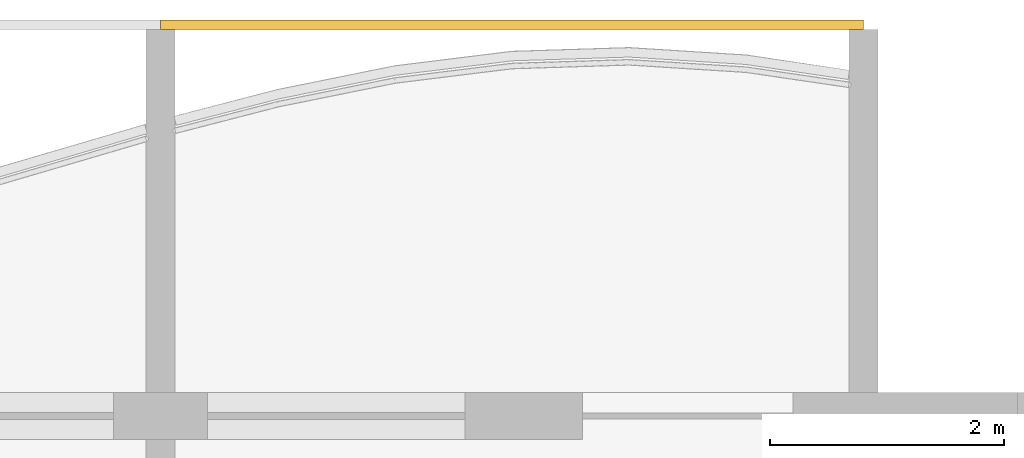
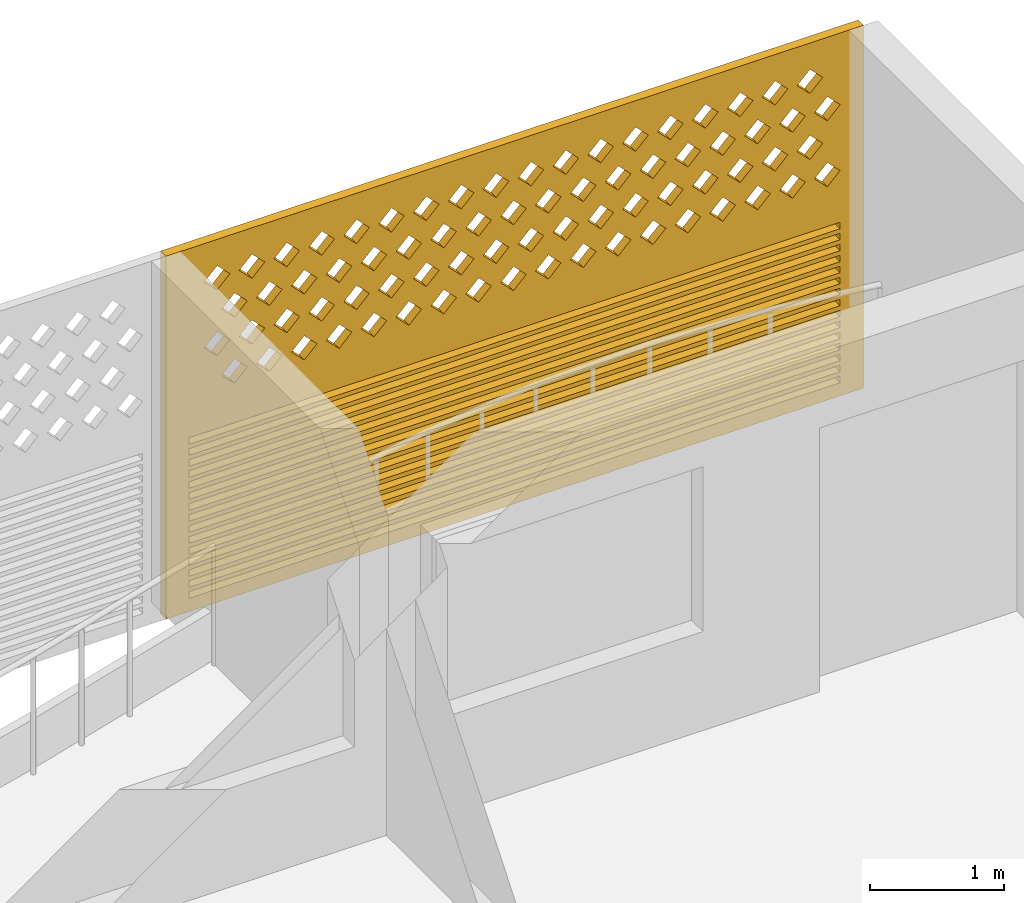
# One storey, part 28 of 28: 1 covering.
"""IFC4 building model written with IfcOpenShell, lengths in metres."""

from ifc_helpers import new_model, si_unit, direction, frame, origin, place, context, subcontext, project, spatial, polyline, outline, extrude, source, transform, mapped, material, material_profile, profile_set, type_object, element, save


model = new_model("IFC4")

# Units and contexts
model_context = context("Model", 3, precision=1e-05, world=origin(), true_north=direction((0.0, 1.0)))
body_context = subcontext(model_context, "Body", "Model", "MODEL_VIEW")
ifc_project = project(units=[si_unit("LENGTHUNIT", "METRE"), si_unit("AREAUNIT", "SQUARE_METRE"), si_unit("VOLUMEUNIT", "CUBIC_METRE"), si_unit("PLANEANGLEUNIT", "RADIAN"), si_unit("MASSUNIT", "GRAM", prefix="KILO")], contexts=[model_context])

# Site, building, storey
site_placement = place(None, origin())
site = spatial("IfcSite", under=ifc_project, at=site_placement, CompositionType="ELEMENT")
building_placement = place(site_placement, origin())
building = spatial("IfcBuilding", under=site, at=building_placement, Name="Poui Terraces", CompositionType="ELEMENT")
storey_placement = place(building_placement, frame((0.0, 0.0, 188.39990234375)))
storey = spatial("IfcBuildingStorey", under=building, at=storey_placement, Name="L52", CompositionType="ELEMENT", Elevation=188.39990234375)

# Covering
ifc_material = material(Name="Terracotta screen", Category="masonry")
ifc_material_profile = material_profile(ifc_material, outline(polyline([(-3.0, -1.64990234375), (3.0, -1.64990234375), (3.0, 1.64990234375), (-3.0, 1.64990234375), (-3.0, -1.64990234375)]), holes=[polyline([(-2.800048828125, 0.39990234375), (-2.68994140625, 0.2900390625), (-2.580078125, 0.39990234375), (-2.68994140625, 0.510009765625), (-2.800048828125, 0.39990234375)]), polyline([(-2.5, 0.39990234375), (-2.389892578125, 0.2900390625), (-2.280029296875, 0.39990234375), (-2.389892578125, 0.510009765625), (-2.5, 0.39990234375)]), polyline([(-2.199951171875, 0.39990234375), (-2.090087890625, 0.2900390625), (-1.97998046875, 0.39990234375), (-2.090087890625, 0.510009765625), (-2.199951171875, 0.39990234375)]), polyline([(-1.89990234375, 0.39990234375), (-1.7900390625, 0.2900390625), (-1.679931640625, 0.39990234375), (-1.7900390625, 0.510009765625), (-1.89990234375, 0.39990234375)]), polyline([(-1.60009765625, 0.39990234375), (-1.489990234375, 0.2900390625), (-1.3798828125, 0.39990234375), (-1.489990234375, 0.510009765625), (-1.60009765625, 0.39990234375)]), polyline([(-1.300048828125, 0.39990234375), (-1.18994140625, 0.2900390625), (-1.080078125, 0.39990234375), (-1.18994140625, 0.510009765625), (-1.300048828125, 0.39990234375)]), polyline([(-1.0, 0.39990234375), (-0.889892578125, 0.2900390625), (-0.780029296875, 0.39990234375), (-0.889892578125, 0.510009765625), (-1.0, 0.39990234375)]), polyline([(-0.699951171875, 0.39990234375), (-0.590087890625, 0.2900390625), (-0.47998046875, 0.39990234375), (-0.590087890625, 0.510009765625), (-0.699951171875, 0.39990234375)]), polyline([(-0.39990234375, 0.39990234375), (-0.2900390625, 0.2900390625), (-0.179931640625, 0.39990234375), (-0.2900390625, 0.510009765625), (-0.39990234375, 0.39990234375)]), polyline([(-0.10009765625, 0.39990234375), (0.010009765625, 0.2900390625), (0.1201171875, 0.39990234375), (0.010009765625, 0.510009765625), (-0.10009765625, 0.39990234375)]), polyline([(0.199951171875, 0.39990234375), (0.31005859375, 0.2900390625), (0.419921875, 0.39990234375), (0.31005859375, 0.510009765625), (0.199951171875, 0.39990234375)]), polyline([(0.5, 0.39990234375), (0.610107421875, 0.2900390625), (0.719970703125, 0.39990234375), (0.610107421875, 0.510009765625), (0.5, 0.39990234375)]), polyline([(0.800048828125, 0.39990234375), (0.909912109375, 0.2900390625), (1.02001953125, 0.39990234375), (0.909912109375, 0.510009765625), (0.800048828125, 0.39990234375)]), polyline([(1.10009765625, 0.39990234375), (1.2099609375, 0.2900390625), (1.320068359375, 0.39990234375), (1.2099609375, 0.510009765625), (1.10009765625, 0.39990234375)]), polyline([(1.39990234375, 0.39990234375), (1.510009765625, 0.2900390625), (1.6201171875, 0.39990234375), (1.510009765625, 0.510009765625), (1.39990234375, 0.39990234375)]), polyline([(1.699951171875, 0.39990234375), (1.81005859375, 0.2900390625), (1.919921875, 0.39990234375), (1.81005859375, 0.510009765625), (1.699951171875, 0.39990234375)]), polyline([(2.0, 0.39990234375), (2.110107421875, 0.2900390625), (2.219970703125, 0.39990234375), (2.110107421875, 0.510009765625), (2.0, 0.39990234375)]), polyline([(2.300048828125, 0.39990234375), (2.409912109375, 0.2900390625), (2.52001953125, 0.39990234375), (2.409912109375, 0.510009765625), (2.300048828125, 0.39990234375)]), polyline([(-2.64990234375, 0.699951171875), (-2.5400390625, 0.590087890625), (-2.429931640625, 0.699951171875), (-2.5400390625, 0.81005859375), (-2.64990234375, 0.699951171875)]), polyline([(-2.35009765625, 0.699951171875), (-2.239990234375, 0.590087890625), (-2.1298828125, 0.699951171875), (-2.239990234375, 0.81005859375), (-2.35009765625, 0.699951171875)]), polyline([(-2.050048828125, 0.699951171875), (-1.93994140625, 0.590087890625), (-1.830078125, 0.699951171875), (-1.93994140625, 0.81005859375), (-2.050048828125, 0.699951171875)]), polyline([(-1.75, 0.699951171875), (-1.639892578125, 0.590087890625), (-1.530029296875, 0.699951171875), (-1.639892578125, 0.81005859375), (-1.75, 0.699951171875)]), polyline([(-1.449951171875, 0.699951171875), (-1.340087890625, 0.590087890625), (-1.22998046875, 0.699951171875), (-1.340087890625, 0.81005859375), (-1.449951171875, 0.699951171875)]), polyline([(-1.14990234375, 0.699951171875), (-1.0400390625, 0.590087890625), (-0.929931640625, 0.699951171875), (-1.0400390625, 0.81005859375), (-1.14990234375, 0.699951171875)]), polyline([(-0.85009765625, 0.699951171875), (-0.739990234375, 0.590087890625), (-0.6298828125, 0.699951171875), (-0.739990234375, 0.81005859375), (-0.85009765625, 0.699951171875)]), polyline([(-0.550048828125, 0.699951171875), (-0.43994140625, 0.590087890625), (-0.330078125, 0.699951171875), (-0.43994140625, 0.81005859375), (-0.550048828125, 0.699951171875)]), polyline([(-0.25, 0.699951171875), (-0.139892578125, 0.590087890625), (-0.030029296875, 0.699951171875), (-0.139892578125, 0.81005859375), (-0.25, 0.699951171875)]), polyline([(0.050048828125, 0.699951171875), (0.159912109375, 0.590087890625), (0.27001953125, 0.699951171875), (0.159912109375, 0.81005859375), (0.050048828125, 0.699951171875)]), polyline([(0.35009765625, 0.699951171875), (0.4599609375, 0.590087890625), (0.570068359375, 0.699951171875), (0.4599609375, 0.81005859375), (0.35009765625, 0.699951171875)]), polyline([(0.64990234375, 0.699951171875), (0.760009765625, 0.590087890625), (0.8701171875, 0.699951171875), (0.760009765625, 0.81005859375), (0.64990234375, 0.699951171875)]), polyline([(0.949951171875, 0.699951171875), (1.06005859375, 0.590087890625), (1.169921875, 0.699951171875), (1.06005859375, 0.81005859375), (0.949951171875, 0.699951171875)]), polyline([(1.25, 0.699951171875), (1.360107421875, 0.590087890625), (1.469970703125, 0.699951171875), (1.360107421875, 0.81005859375), (1.25, 0.699951171875)]), polyline([(1.550048828125, 0.699951171875), (1.659912109375, 0.590087890625), (1.77001953125, 0.699951171875), (1.659912109375, 0.81005859375), (1.550048828125, 0.699951171875)]), polyline([(1.85009765625, 0.699951171875), (1.9599609375, 0.590087890625), (2.070068359375, 0.699951171875), (1.9599609375, 0.81005859375), (1.85009765625, 0.699951171875)]), polyline([(2.14990234375, 0.699951171875), (2.260009765625, 0.590087890625), (2.3701171875, 0.699951171875), (2.260009765625, 0.81005859375), (2.14990234375, 0.699951171875)]), polyline([(2.449951171875, 0.699951171875), (2.56005859375, 0.590087890625), (2.669921875, 0.699951171875), (2.56005859375, 0.81005859375), (2.449951171875, 0.699951171875)]), polyline([(-2.800048828125, 1.0), (-2.68994140625, 0.889892578125), (-2.580078125, 1.0), (-2.68994140625, 1.110107421875), (-2.800048828125, 1.0)]), polyline([(-2.5, 1.0), (-2.389892578125, 0.889892578125), (-2.280029296875, 1.0), (-2.389892578125, 1.110107421875), (-2.5, 1.0)]), polyline([(-2.199951171875, 1.0), (-2.090087890625, 0.889892578125), (-1.97998046875, 1.0), (-2.090087890625, 1.110107421875), (-2.199951171875, 1.0)]), polyline([(-1.89990234375, 1.0), (-1.7900390625, 0.889892578125), (-1.679931640625, 1.0), (-1.7900390625, 1.110107421875), (-1.89990234375, 1.0)]), polyline([(-1.60009765625, 1.0), (-1.489990234375, 0.889892578125), (-1.3798828125, 1.0), (-1.489990234375, 1.110107421875), (-1.60009765625, 1.0)]), polyline([(-1.300048828125, 1.0), (-1.18994140625, 0.889892578125), (-1.080078125, 1.0), (-1.18994140625, 1.110107421875), (-1.300048828125, 1.0)]), polyline([(-1.0, 1.0), (-0.889892578125, 0.889892578125), (-0.780029296875, 1.0), (-0.889892578125, 1.110107421875), (-1.0, 1.0)]), polyline([(-0.699951171875, 1.0), (-0.590087890625, 0.889892578125), (-0.47998046875, 1.0), (-0.590087890625, 1.110107421875), (-0.699951171875, 1.0)]), polyline([(-0.39990234375, 1.0), (-0.2900390625, 0.889892578125), (-0.179931640625, 1.0), (-0.2900390625, 1.110107421875), (-0.39990234375, 1.0)]), polyline([(-0.10009765625, 1.0), (0.010009765625, 0.889892578125), (0.1201171875, 1.0), (0.010009765625, 1.110107421875), (-0.10009765625, 1.0)]), polyline([(0.199951171875, 1.0), (0.31005859375, 0.889892578125), (0.419921875, 1.0), (0.31005859375, 1.110107421875), (0.199951171875, 1.0)]), polyline([(0.5, 1.0), (0.610107421875, 0.889892578125), (0.719970703125, 1.0), (0.610107421875, 1.110107421875), (0.5, 1.0)]), polyline([(0.800048828125, 1.0), (0.909912109375, 0.889892578125), (1.02001953125, 1.0), (0.909912109375, 1.110107421875), (0.800048828125, 1.0)]), polyline([(1.10009765625, 1.0), (1.2099609375, 0.889892578125), (1.320068359375, 1.0), (1.2099609375, 1.110107421875), (1.10009765625, 1.0)]), polyline([(1.39990234375, 1.0), (1.510009765625, 0.889892578125), (1.6201171875, 1.0), (1.510009765625, 1.110107421875), (1.39990234375, 1.0)]), polyline([(1.699951171875, 1.0), (1.81005859375, 0.889892578125), (1.919921875, 1.0), (1.81005859375, 1.110107421875), (1.699951171875, 1.0)]), polyline([(2.0, 1.0), (2.110107421875, 0.889892578125), (2.219970703125, 1.0), (2.110107421875, 1.110107421875), (2.0, 1.0)]), polyline([(2.300048828125, 1.0), (2.409912109375, 0.889892578125), (2.52001953125, 1.0), (2.409912109375, 1.110107421875), (2.300048828125, 1.0)]), polyline([(-2.64990234375, 1.300048828125), (-2.5400390625, 1.18994140625), (-2.429931640625, 1.300048828125), (-2.5400390625, 1.409912109375), (-2.64990234375, 1.300048828125)]), polyline([(-2.35009765625, 1.300048828125), (-2.239990234375, 1.18994140625), (-2.1298828125, 1.300048828125), (-2.239990234375, 1.409912109375), (-2.35009765625, 1.300048828125)]), polyline([(-2.050048828125, 1.300048828125), (-1.93994140625, 1.18994140625), (-1.830078125, 1.300048828125), (-1.93994140625, 1.409912109375), (-2.050048828125, 1.300048828125)]), polyline([(-1.75, 1.300048828125), (-1.639892578125, 1.18994140625), (-1.530029296875, 1.300048828125), (-1.639892578125, 1.409912109375), (-1.75, 1.300048828125)]), polyline([(-1.449951171875, 1.300048828125), (-1.340087890625, 1.18994140625), (-1.22998046875, 1.300048828125), (-1.340087890625, 1.409912109375), (-1.449951171875, 1.300048828125)]), polyline([(-1.14990234375, 1.300048828125), (-1.0400390625, 1.18994140625), (-0.929931640625, 1.300048828125), (-1.0400390625, 1.409912109375), (-1.14990234375, 1.300048828125)]), polyline([(-0.85009765625, 1.300048828125), (-0.739990234375, 1.18994140625), (-0.6298828125, 1.300048828125), (-0.739990234375, 1.409912109375), (-0.85009765625, 1.300048828125)]), polyline([(-0.550048828125, 1.300048828125), (-0.43994140625, 1.18994140625), (-0.330078125, 1.300048828125), (-0.43994140625, 1.409912109375), (-0.550048828125, 1.300048828125)]), polyline([(-0.25, 1.300048828125), (-0.139892578125, 1.18994140625), (-0.030029296875, 1.300048828125), (-0.139892578125, 1.409912109375), (-0.25, 1.300048828125)]), polyline([(0.050048828125, 1.300048828125), (0.159912109375, 1.18994140625), (0.27001953125, 1.300048828125), (0.159912109375, 1.409912109375), (0.050048828125, 1.300048828125)]), polyline([(0.35009765625, 1.300048828125), (0.4599609375, 1.18994140625), (0.570068359375, 1.300048828125), (0.4599609375, 1.409912109375), (0.35009765625, 1.300048828125)]), polyline([(0.64990234375, 1.300048828125), (0.760009765625, 1.18994140625), (0.8701171875, 1.300048828125), (0.760009765625, 1.409912109375), (0.64990234375, 1.300048828125)]), polyline([(0.949951171875, 1.300048828125), (1.06005859375, 1.18994140625), (1.169921875, 1.300048828125), (1.06005859375, 1.409912109375), (0.949951171875, 1.300048828125)]), polyline([(1.25, 1.300048828125), (1.360107421875, 1.18994140625), (1.469970703125, 1.300048828125), (1.360107421875, 1.409912109375), (1.25, 1.300048828125)]), polyline([(1.550048828125, 1.300048828125), (1.659912109375, 1.18994140625), (1.77001953125, 1.300048828125), (1.659912109375, 1.409912109375), (1.550048828125, 1.300048828125)]), polyline([(1.85009765625, 1.300048828125), (1.9599609375, 1.18994140625), (2.070068359375, 1.300048828125), (1.9599609375, 1.409912109375), (1.85009765625, 1.300048828125)]), polyline([(2.14990234375, 1.300048828125), (2.260009765625, 1.18994140625), (2.3701171875, 1.300048828125), (2.260009765625, 1.409912109375), (2.14990234375, 1.300048828125)]), polyline([(2.449951171875, 1.300048828125), (2.56005859375, 1.18994140625), (2.669921875, 1.300048828125), (2.56005859375, 1.409912109375), (2.449951171875, 1.300048828125)]), polyline([(-2.800048828125, -1.530029296875), (2.800048828125, -1.530029296875), (2.800048828125, -1.469970703125), (-2.800048828125, -1.469970703125), (-2.800048828125, -1.530029296875)]), polyline([(-2.800048828125, -1.429931640625), (2.800048828125, -1.429931640625), (2.800048828125, -1.3701171875), (-2.800048828125, -1.3701171875), (-2.800048828125, -1.429931640625)]), polyline([(-2.800048828125, -1.330078125), (2.800048828125, -1.330078125), (2.800048828125, -1.27001953125), (-2.800048828125, -1.27001953125), (-2.800048828125, -1.330078125)]), polyline([(-2.800048828125, -1.22998046875), (2.800048828125, -1.22998046875), (2.800048828125, -1.169921875), (-2.800048828125, -1.169921875), (-2.800048828125, -1.22998046875)]), polyline([(-2.800048828125, -1.1298828125), (2.800048828125, -1.1298828125), (2.800048828125, -1.070068359375), (-2.800048828125, -1.070068359375), (-2.800048828125, -1.1298828125)]), polyline([(-2.800048828125, -1.030029296875), (2.800048828125, -1.030029296875), (2.800048828125, -0.969970703125), (-2.800048828125, -0.969970703125), (-2.800048828125, -1.030029296875)]), polyline([(-2.800048828125, -0.929931640625), (2.800048828125, -0.929931640625), (2.800048828125, -0.8701171875), (-2.800048828125, -0.8701171875), (-2.800048828125, -0.929931640625)]), polyline([(-2.800048828125, -0.830078125), (2.800048828125, -0.830078125), (2.800048828125, -0.77001953125), (-2.800048828125, -0.77001953125), (-2.800048828125, -0.830078125)]), polyline([(-2.800048828125, -0.72998046875), (2.800048828125, -0.72998046875), (2.800048828125, -0.669921875), (-2.800048828125, -0.669921875), (-2.800048828125, -0.72998046875)]), polyline([(-2.800048828125, -0.6298828125), (2.800048828125, -0.6298828125), (2.800048828125, -0.570068359375), (-2.800048828125, -0.570068359375), (-2.800048828125, -0.6298828125)]), polyline([(-2.800048828125, -0.530029296875), (2.800048828125, -0.530029296875), (2.800048828125, -0.469970703125), (-2.800048828125, -0.469970703125), (-2.800048828125, -0.530029296875)]), polyline([(-2.800048828125, -0.429931640625), (2.800048828125, -0.429931640625), (2.800048828125, -0.3701171875), (-2.800048828125, -0.3701171875), (-2.800048828125, -0.429931640625)]), polyline([(-2.800048828125, -0.330078125), (2.800048828125, -0.330078125), (2.800048828125, -0.27001953125), (-2.800048828125, -0.27001953125), (-2.800048828125, -0.330078125)]), polyline([(-2.800048828125, -0.22998046875), (2.800048828125, -0.22998046875), (2.800048828125, -0.169921875), (-2.800048828125, -0.169921875), (-2.800048828125, -0.22998046875)]), polyline([(-2.800048828125, -0.1298828125), (2.800048828125, -0.1298828125), (2.800048828125, -0.070068359375), (-2.800048828125, -0.070068359375), (-2.800048828125, -0.1298828125)])]), Name="TERRACOTTA SCREEN AND JALOUSIE LOUVRE 6000X3300")
ifc_profile_set = profile_set([ifc_material_profile], Name="Terracotta screen")
covering_type = type_object("IfcCoveringType", Name="TERRACOTTA SCREEN AND JALOUSIE LOUVRE 6000X3300", PredefinedType="CLADDING", material=ifc_profile_set)
shared_shape = source(origin(), body_context, "Body", "SweptSolid", [
    extrude(outline(polyline([(-3.0, -1.64990234375), (3.0, -1.64990234375), (3.0, 1.64990234375), (-3.0, 1.64990234375), (-3.0, -1.64990234375)]), holes=[polyline([(-2.800048828125, 0.39990234375), (-2.68994140625, 0.2900390625), (-2.580078125, 0.39990234375), (-2.68994140625, 0.510009765625), (-2.800048828125, 0.39990234375)]), polyline([(-2.5, 0.39990234375), (-2.389892578125, 0.2900390625), (-2.280029296875, 0.39990234375), (-2.389892578125, 0.510009765625), (-2.5, 0.39990234375)]), polyline([(-2.199951171875, 0.39990234375), (-2.090087890625, 0.2900390625), (-1.97998046875, 0.39990234375), (-2.090087890625, 0.510009765625), (-2.199951171875, 0.39990234375)]), polyline([(-1.89990234375, 0.39990234375), (-1.7900390625, 0.2900390625), (-1.679931640625, 0.39990234375), (-1.7900390625, 0.510009765625), (-1.89990234375, 0.39990234375)]), polyline([(-1.60009765625, 0.39990234375), (-1.489990234375, 0.2900390625), (-1.3798828125, 0.39990234375), (-1.489990234375, 0.510009765625), (-1.60009765625, 0.39990234375)]), polyline([(-1.300048828125, 0.39990234375), (-1.18994140625, 0.2900390625), (-1.080078125, 0.39990234375), (-1.18994140625, 0.510009765625), (-1.300048828125, 0.39990234375)]), polyline([(-1.0, 0.39990234375), (-0.889892578125, 0.2900390625), (-0.780029296875, 0.39990234375), (-0.889892578125, 0.510009765625), (-1.0, 0.39990234375)]), polyline([(-0.699951171875, 0.39990234375), (-0.590087890625, 0.2900390625), (-0.47998046875, 0.39990234375), (-0.590087890625, 0.510009765625), (-0.699951171875, 0.39990234375)]), polyline([(-0.39990234375, 0.39990234375), (-0.2900390625, 0.2900390625), (-0.179931640625, 0.39990234375), (-0.2900390625, 0.510009765625), (-0.39990234375, 0.39990234375)]), polyline([(-0.10009765625, 0.39990234375), (0.010009765625, 0.2900390625), (0.1201171875, 0.39990234375), (0.010009765625, 0.510009765625), (-0.10009765625, 0.39990234375)]), polyline([(0.199951171875, 0.39990234375), (0.31005859375, 0.2900390625), (0.419921875, 0.39990234375), (0.31005859375, 0.510009765625), (0.199951171875, 0.39990234375)]), polyline([(0.5, 0.39990234375), (0.610107421875, 0.2900390625), (0.719970703125, 0.39990234375), (0.610107421875, 0.510009765625), (0.5, 0.39990234375)]), polyline([(0.800048828125, 0.39990234375), (0.909912109375, 0.2900390625), (1.02001953125, 0.39990234375), (0.909912109375, 0.510009765625), (0.800048828125, 0.39990234375)]), polyline([(1.10009765625, 0.39990234375), (1.2099609375, 0.2900390625), (1.320068359375, 0.39990234375), (1.2099609375, 0.510009765625), (1.10009765625, 0.39990234375)]), polyline([(1.39990234375, 0.39990234375), (1.510009765625, 0.2900390625), (1.6201171875, 0.39990234375), (1.510009765625, 0.510009765625), (1.39990234375, 0.39990234375)]), polyline([(1.699951171875, 0.39990234375), (1.81005859375, 0.2900390625), (1.919921875, 0.39990234375), (1.81005859375, 0.510009765625), (1.699951171875, 0.39990234375)]), polyline([(2.0, 0.39990234375), (2.110107421875, 0.2900390625), (2.219970703125, 0.39990234375), (2.110107421875, 0.510009765625), (2.0, 0.39990234375)]), polyline([(2.300048828125, 0.39990234375), (2.409912109375, 0.2900390625), (2.52001953125, 0.39990234375), (2.409912109375, 0.510009765625), (2.300048828125, 0.39990234375)]), polyline([(-2.64990234375, 0.699951171875), (-2.5400390625, 0.590087890625), (-2.429931640625, 0.699951171875), (-2.5400390625, 0.81005859375), (-2.64990234375, 0.699951171875)]), polyline([(-2.35009765625, 0.699951171875), (-2.239990234375, 0.590087890625), (-2.1298828125, 0.699951171875), (-2.239990234375, 0.81005859375), (-2.35009765625, 0.699951171875)]), polyline([(-2.050048828125, 0.699951171875), (-1.93994140625, 0.590087890625), (-1.830078125, 0.699951171875), (-1.93994140625, 0.81005859375), (-2.050048828125, 0.699951171875)]), polyline([(-1.75, 0.699951171875), (-1.639892578125, 0.590087890625), (-1.530029296875, 0.699951171875), (-1.639892578125, 0.81005859375), (-1.75, 0.699951171875)]), polyline([(-1.449951171875, 0.699951171875), (-1.340087890625, 0.590087890625), (-1.22998046875, 0.699951171875), (-1.340087890625, 0.81005859375), (-1.449951171875, 0.699951171875)]), polyline([(-1.14990234375, 0.699951171875), (-1.0400390625, 0.590087890625), (-0.929931640625, 0.699951171875), (-1.0400390625, 0.81005859375), (-1.14990234375, 0.699951171875)]), polyline([(-0.85009765625, 0.699951171875), (-0.739990234375, 0.590087890625), (-0.6298828125, 0.699951171875), (-0.739990234375, 0.81005859375), (-0.85009765625, 0.699951171875)]), polyline([(-0.550048828125, 0.699951171875), (-0.43994140625, 0.590087890625), (-0.330078125, 0.699951171875), (-0.43994140625, 0.81005859375), (-0.550048828125, 0.699951171875)]), polyline([(-0.25, 0.699951171875), (-0.139892578125, 0.590087890625), (-0.030029296875, 0.699951171875), (-0.139892578125, 0.81005859375), (-0.25, 0.699951171875)]), polyline([(0.050048828125, 0.699951171875), (0.159912109375, 0.590087890625), (0.27001953125, 0.699951171875), (0.159912109375, 0.81005859375), (0.050048828125, 0.699951171875)]), polyline([(0.35009765625, 0.699951171875), (0.4599609375, 0.590087890625), (0.570068359375, 0.699951171875), (0.4599609375, 0.81005859375), (0.35009765625, 0.699951171875)]), polyline([(0.64990234375, 0.699951171875), (0.760009765625, 0.590087890625), (0.8701171875, 0.699951171875), (0.760009765625, 0.81005859375), (0.64990234375, 0.699951171875)]), polyline([(0.949951171875, 0.699951171875), (1.06005859375, 0.590087890625), (1.169921875, 0.699951171875), (1.06005859375, 0.81005859375), (0.949951171875, 0.699951171875)]), polyline([(1.25, 0.699951171875), (1.360107421875, 0.590087890625), (1.469970703125, 0.699951171875), (1.360107421875, 0.81005859375), (1.25, 0.699951171875)]), polyline([(1.550048828125, 0.699951171875), (1.659912109375, 0.590087890625), (1.77001953125, 0.699951171875), (1.659912109375, 0.81005859375), (1.550048828125, 0.699951171875)]), polyline([(1.85009765625, 0.699951171875), (1.9599609375, 0.590087890625), (2.070068359375, 0.699951171875), (1.9599609375, 0.81005859375), (1.85009765625, 0.699951171875)]), polyline([(2.14990234375, 0.699951171875), (2.260009765625, 0.590087890625), (2.3701171875, 0.699951171875), (2.260009765625, 0.81005859375), (2.14990234375, 0.699951171875)]), polyline([(2.449951171875, 0.699951171875), (2.56005859375, 0.590087890625), (2.669921875, 0.699951171875), (2.56005859375, 0.81005859375), (2.449951171875, 0.699951171875)]), polyline([(-2.800048828125, 1.0), (-2.68994140625, 0.889892578125), (-2.580078125, 1.0), (-2.68994140625, 1.110107421875), (-2.800048828125, 1.0)]), polyline([(-2.5, 1.0), (-2.389892578125, 0.889892578125), (-2.280029296875, 1.0), (-2.389892578125, 1.110107421875), (-2.5, 1.0)]), polyline([(-2.199951171875, 1.0), (-2.090087890625, 0.889892578125), (-1.97998046875, 1.0), (-2.090087890625, 1.110107421875), (-2.199951171875, 1.0)]), polyline([(-1.89990234375, 1.0), (-1.7900390625, 0.889892578125), (-1.679931640625, 1.0), (-1.7900390625, 1.110107421875), (-1.89990234375, 1.0)]), polyline([(-1.60009765625, 1.0), (-1.489990234375, 0.889892578125), (-1.3798828125, 1.0), (-1.489990234375, 1.110107421875), (-1.60009765625, 1.0)]), polyline([(-1.300048828125, 1.0), (-1.18994140625, 0.889892578125), (-1.080078125, 1.0), (-1.18994140625, 1.110107421875), (-1.300048828125, 1.0)]), polyline([(-1.0, 1.0), (-0.889892578125, 0.889892578125), (-0.780029296875, 1.0), (-0.889892578125, 1.110107421875), (-1.0, 1.0)]), polyline([(-0.699951171875, 1.0), (-0.590087890625, 0.889892578125), (-0.47998046875, 1.0), (-0.590087890625, 1.110107421875), (-0.699951171875, 1.0)]), polyline([(-0.39990234375, 1.0), (-0.2900390625, 0.889892578125), (-0.179931640625, 1.0), (-0.2900390625, 1.110107421875), (-0.39990234375, 1.0)]), polyline([(-0.10009765625, 1.0), (0.010009765625, 0.889892578125), (0.1201171875, 1.0), (0.010009765625, 1.110107421875), (-0.10009765625, 1.0)]), polyline([(0.199951171875, 1.0), (0.31005859375, 0.889892578125), (0.419921875, 1.0), (0.31005859375, 1.110107421875), (0.199951171875, 1.0)]), polyline([(0.5, 1.0), (0.610107421875, 0.889892578125), (0.719970703125, 1.0), (0.610107421875, 1.110107421875), (0.5, 1.0)]), polyline([(0.800048828125, 1.0), (0.909912109375, 0.889892578125), (1.02001953125, 1.0), (0.909912109375, 1.110107421875), (0.800048828125, 1.0)]), polyline([(1.10009765625, 1.0), (1.2099609375, 0.889892578125), (1.320068359375, 1.0), (1.2099609375, 1.110107421875), (1.10009765625, 1.0)]), polyline([(1.39990234375, 1.0), (1.510009765625, 0.889892578125), (1.6201171875, 1.0), (1.510009765625, 1.110107421875), (1.39990234375, 1.0)]), polyline([(1.699951171875, 1.0), (1.81005859375, 0.889892578125), (1.919921875, 1.0), (1.81005859375, 1.110107421875), (1.699951171875, 1.0)]), polyline([(2.0, 1.0), (2.110107421875, 0.889892578125), (2.219970703125, 1.0), (2.110107421875, 1.110107421875), (2.0, 1.0)]), polyline([(2.300048828125, 1.0), (2.409912109375, 0.889892578125), (2.52001953125, 1.0), (2.409912109375, 1.110107421875), (2.300048828125, 1.0)]), polyline([(-2.64990234375, 1.300048828125), (-2.5400390625, 1.18994140625), (-2.429931640625, 1.300048828125), (-2.5400390625, 1.409912109375), (-2.64990234375, 1.300048828125)]), polyline([(-2.35009765625, 1.300048828125), (-2.239990234375, 1.18994140625), (-2.1298828125, 1.300048828125), (-2.239990234375, 1.409912109375), (-2.35009765625, 1.300048828125)]), polyline([(-2.050048828125, 1.300048828125), (-1.93994140625, 1.18994140625), (-1.830078125, 1.300048828125), (-1.93994140625, 1.409912109375), (-2.050048828125, 1.300048828125)]), polyline([(-1.75, 1.300048828125), (-1.639892578125, 1.18994140625), (-1.530029296875, 1.300048828125), (-1.639892578125, 1.409912109375), (-1.75, 1.300048828125)]), polyline([(-1.449951171875, 1.300048828125), (-1.340087890625, 1.18994140625), (-1.22998046875, 1.300048828125), (-1.340087890625, 1.409912109375), (-1.449951171875, 1.300048828125)]), polyline([(-1.14990234375, 1.300048828125), (-1.0400390625, 1.18994140625), (-0.929931640625, 1.300048828125), (-1.0400390625, 1.409912109375), (-1.14990234375, 1.300048828125)]), polyline([(-0.85009765625, 1.300048828125), (-0.739990234375, 1.18994140625), (-0.6298828125, 1.300048828125), (-0.739990234375, 1.409912109375), (-0.85009765625, 1.300048828125)]), polyline([(-0.550048828125, 1.300048828125), (-0.43994140625, 1.18994140625), (-0.330078125, 1.300048828125), (-0.43994140625, 1.409912109375), (-0.550048828125, 1.300048828125)]), polyline([(-0.25, 1.300048828125), (-0.139892578125, 1.18994140625), (-0.030029296875, 1.300048828125), (-0.139892578125, 1.409912109375), (-0.25, 1.300048828125)]), polyline([(0.050048828125, 1.300048828125), (0.159912109375, 1.18994140625), (0.27001953125, 1.300048828125), (0.159912109375, 1.409912109375), (0.050048828125, 1.300048828125)]), polyline([(0.35009765625, 1.300048828125), (0.4599609375, 1.18994140625), (0.570068359375, 1.300048828125), (0.4599609375, 1.409912109375), (0.35009765625, 1.300048828125)]), polyline([(0.64990234375, 1.300048828125), (0.760009765625, 1.18994140625), (0.8701171875, 1.300048828125), (0.760009765625, 1.409912109375), (0.64990234375, 1.300048828125)]), polyline([(0.949951171875, 1.300048828125), (1.06005859375, 1.18994140625), (1.169921875, 1.300048828125), (1.06005859375, 1.409912109375), (0.949951171875, 1.300048828125)]), polyline([(1.25, 1.300048828125), (1.360107421875, 1.18994140625), (1.469970703125, 1.300048828125), (1.360107421875, 1.409912109375), (1.25, 1.300048828125)]), polyline([(1.550048828125, 1.300048828125), (1.659912109375, 1.18994140625), (1.77001953125, 1.300048828125), (1.659912109375, 1.409912109375), (1.550048828125, 1.300048828125)]), polyline([(1.85009765625, 1.300048828125), (1.9599609375, 1.18994140625), (2.070068359375, 1.300048828125), (1.9599609375, 1.409912109375), (1.85009765625, 1.300048828125)]), polyline([(2.14990234375, 1.300048828125), (2.260009765625, 1.18994140625), (2.3701171875, 1.300048828125), (2.260009765625, 1.409912109375), (2.14990234375, 1.300048828125)]), polyline([(2.449951171875, 1.300048828125), (2.56005859375, 1.18994140625), (2.669921875, 1.300048828125), (2.56005859375, 1.409912109375), (2.449951171875, 1.300048828125)]), polyline([(-2.800048828125, -1.530029296875), (2.800048828125, -1.530029296875), (2.800048828125, -1.469970703125), (-2.800048828125, -1.469970703125), (-2.800048828125, -1.530029296875)]), polyline([(-2.800048828125, -1.429931640625), (2.800048828125, -1.429931640625), (2.800048828125, -1.3701171875), (-2.800048828125, -1.3701171875), (-2.800048828125, -1.429931640625)]), polyline([(-2.800048828125, -1.330078125), (2.800048828125, -1.330078125), (2.800048828125, -1.27001953125), (-2.800048828125, -1.27001953125), (-2.800048828125, -1.330078125)]), polyline([(-2.800048828125, -1.22998046875), (2.800048828125, -1.22998046875), (2.800048828125, -1.169921875), (-2.800048828125, -1.169921875), (-2.800048828125, -1.22998046875)]), polyline([(-2.800048828125, -1.1298828125), (2.800048828125, -1.1298828125), (2.800048828125, -1.070068359375), (-2.800048828125, -1.070068359375), (-2.800048828125, -1.1298828125)]), polyline([(-2.800048828125, -1.030029296875), (2.800048828125, -1.030029296875), (2.800048828125, -0.969970703125), (-2.800048828125, -0.969970703125), (-2.800048828125, -1.030029296875)]), polyline([(-2.800048828125, -0.929931640625), (2.800048828125, -0.929931640625), (2.800048828125, -0.8701171875), (-2.800048828125, -0.8701171875), (-2.800048828125, -0.929931640625)]), polyline([(-2.800048828125, -0.830078125), (2.800048828125, -0.830078125), (2.800048828125, -0.77001953125), (-2.800048828125, -0.77001953125), (-2.800048828125, -0.830078125)]), polyline([(-2.800048828125, -0.72998046875), (2.800048828125, -0.72998046875), (2.800048828125, -0.669921875), (-2.800048828125, -0.669921875), (-2.800048828125, -0.72998046875)]), polyline([(-2.800048828125, -0.6298828125), (2.800048828125, -0.6298828125), (2.800048828125, -0.570068359375), (-2.800048828125, -0.570068359375), (-2.800048828125, -0.6298828125)]), polyline([(-2.800048828125, -0.530029296875), (2.800048828125, -0.530029296875), (2.800048828125, -0.469970703125), (-2.800048828125, -0.469970703125), (-2.800048828125, -0.530029296875)]), polyline([(-2.800048828125, -0.429931640625), (2.800048828125, -0.429931640625), (2.800048828125, -0.3701171875), (-2.800048828125, -0.3701171875), (-2.800048828125, -0.429931640625)]), polyline([(-2.800048828125, -0.330078125), (2.800048828125, -0.330078125), (2.800048828125, -0.27001953125), (-2.800048828125, -0.27001953125), (-2.800048828125, -0.330078125)]), polyline([(-2.800048828125, -0.22998046875), (2.800048828125, -0.22998046875), (2.800048828125, -0.169921875), (-2.800048828125, -0.169921875), (-2.800048828125, -0.22998046875)]), polyline([(-2.800048828125, -0.1298828125), (2.800048828125, -0.1298828125), (2.800048828125, -0.070068359375), (-2.800048828125, -0.070068359375), (-2.800048828125, -0.1298828125)])]), origin(), (0.0, 0.0, 1.0), 0.080078125),
])
covering_placement = place(storey_placement, frame((75.0, 44.5, 1.4501953125), z_axis=(0.0, 1.0, 0.0), x_axis=(-1.0, 0.0, 0.0)))
element("IfcCovering", 1, at=covering_placement, inside=storey, type_object=covering_type, Name="SOLAR SCREEN AND JALOUSIE LOUVRE", PredefinedType="CLADDING", context=body_context, shape_type="MappedRepresentation", body=[
    mapped(shared_shape, transform((0.0, 0.0, 0.0))),
])

save(model, "model.ifc")
